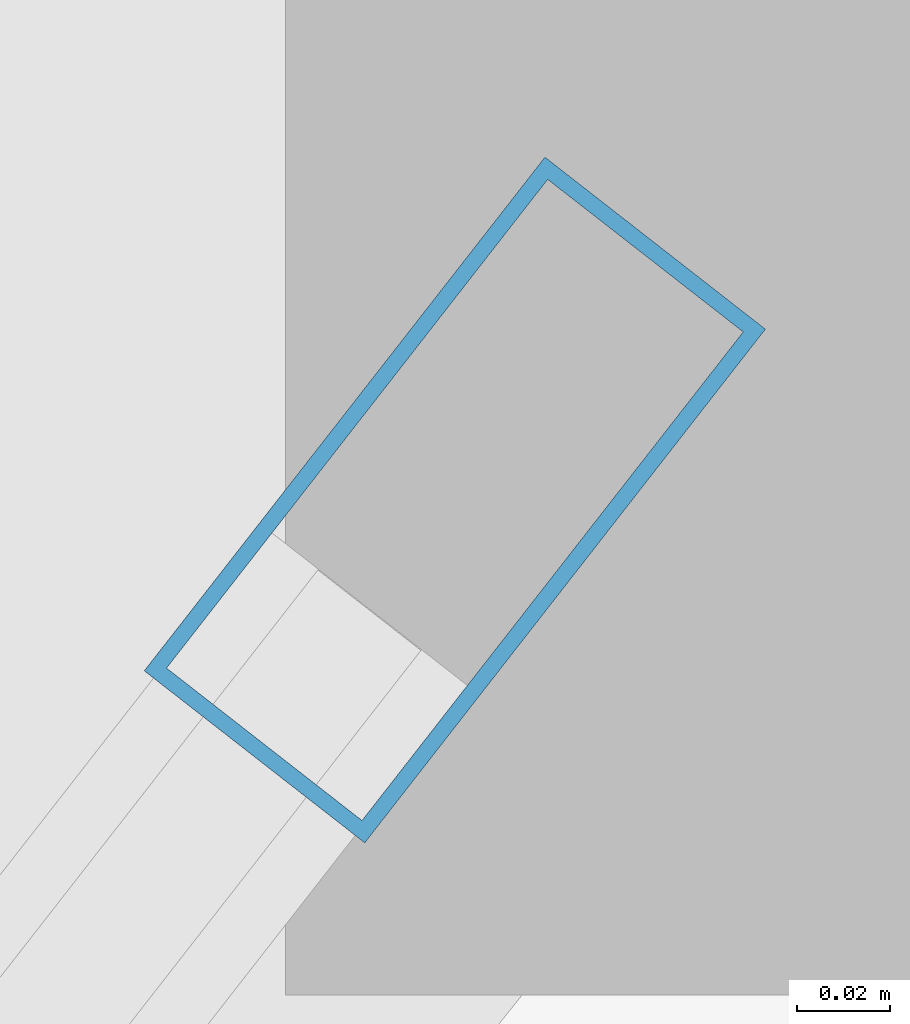
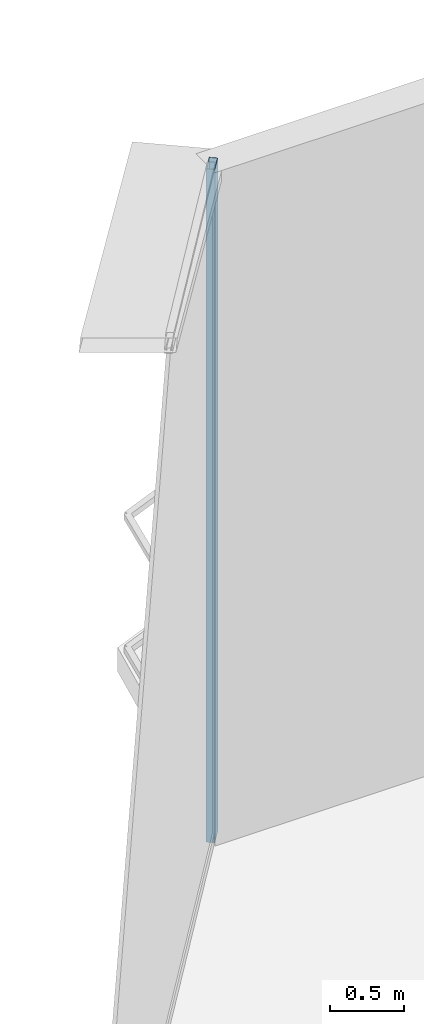
# One storey, part 21 of 38: 1 member, 1 element without a shape of its own.
"""IFC4 building model written with IfcOpenShell, lengths in metres."""

from ifc_helpers import new_model, si_unit, direction, frame, origin, origin_2d, place, context, subcontext, project, spatial, hollow_rectangle, extrude, source, transform, mapped, material, layer, layer_set, material_profile, profile_set, type_object, element, aggregate, save


model = new_model("IFC4")

# Units and contexts
model_context = context("Model", 3, precision=1e-05, world=origin(), true_north=direction((0.0, 1.0)))
body_context = subcontext(model_context, "Body", "Model", "MODEL_VIEW")
ifc_project = project(units=[si_unit("LENGTHUNIT", "METRE"), si_unit("AREAUNIT", "SQUARE_METRE"), si_unit("VOLUMEUNIT", "CUBIC_METRE"), si_unit("PLANEANGLEUNIT", "RADIAN"), si_unit("MASSUNIT", "GRAM", prefix="KILO"), si_unit("THERMODYNAMICTEMPERATUREUNIT", "KELVIN"), si_unit("POWERUNIT", "WATT")], contexts=[model_context])

# Site, building, storey
site_placement = place(None, origin())
site = spatial("IfcSite", under=ifc_project, at=site_placement, CompositionType="ELEMENT")
building_placement = place(site_placement, origin())
building = spatial("IfcBuilding", under=site, at=building_placement, Name="Yunzhuo Pagoda Commons", CompositionType="ELEMENT")
storey_placement = place(building_placement, frame((0.0, 0.0, 266.909912109375)))
storey = spatial("IfcBuildingStorey", under=building, at=storey_placement, Name="L67", CompositionType="ELEMENT", Elevation=266.909912109375)

# Curtain wall, member
ifc_material = material(Name="Anodized aluminium 6063-T6", Category="aluminium")
ifc_layer = layer(ifc_material, 0.139892578125)
ifc_layer_set = layer_set([ifc_layer], Name="Anodized aluminium 6063-T6")
curtain_wall_type = type_object("IfcCurtainWallType", Name="CW-HI High-Zone Ribbon Curtain Wall", PredefinedType="NOTDEFINED", material=ifc_layer_set)
curtain_wall_placement = place(storey_placement, origin())
curtain_wall = element("IfcCurtainWall", 1, at=curtain_wall_placement, inside=storey, type_object=curtain_wall_type, Name="L67 curtain wall CW-L67-F3B1", PredefinedType="NOTDEFINED")
ifc_material_profile = material_profile(ifc_material, hollow_rectangle(XDim=0.06005859375, YDim=0.139892578125, WallThickness=0.00341796875, at=origin_2d()), Name="Anodized aluminium 6063-T6")
ifc_profile_set = profile_set([ifc_material_profile], Name="Anodized aluminium 6063-T6")
member_type = type_object("IfcMemberType", Name="CW-HI-M Mullion RHS 140x60x3.5", PredefinedType="MULLION", material=ifc_profile_set)
shared_shape = source(origin(), body_context, "Body", "SweptSolid", [
    extrude(hollow_rectangle(XDim=0.06005859375, YDim=0.139892578125, WallThickness=0.00341796875, at=origin_2d()), origin(), (0.0, 0.0, 1.0), 5.5703125),
])
member_placement = place(storey_placement, frame((44.30712890625, 77.771240234375, 0.0), z_axis=(0.0, 0.0, 1.0), x_axis=(0.788480008462, -0.615060384235, 0.0)))
member = element("IfcMember", 2, at=member_placement, type_object=member_type, Name="CW mullion 1", PredefinedType="MULLION", context=body_context, shape_type="MappedRepresentation", body=[
    mapped(shared_shape, transform((0.0, 0.0, 0.0), scale=1.0)),
])
aggregate(curtain_wall, [member])

save(model, "model.ifc")
